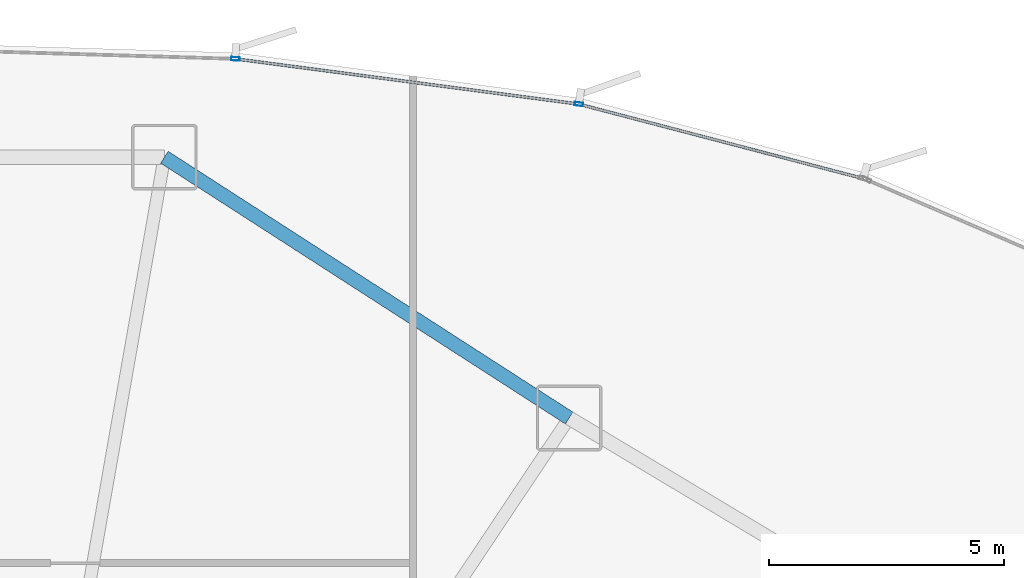
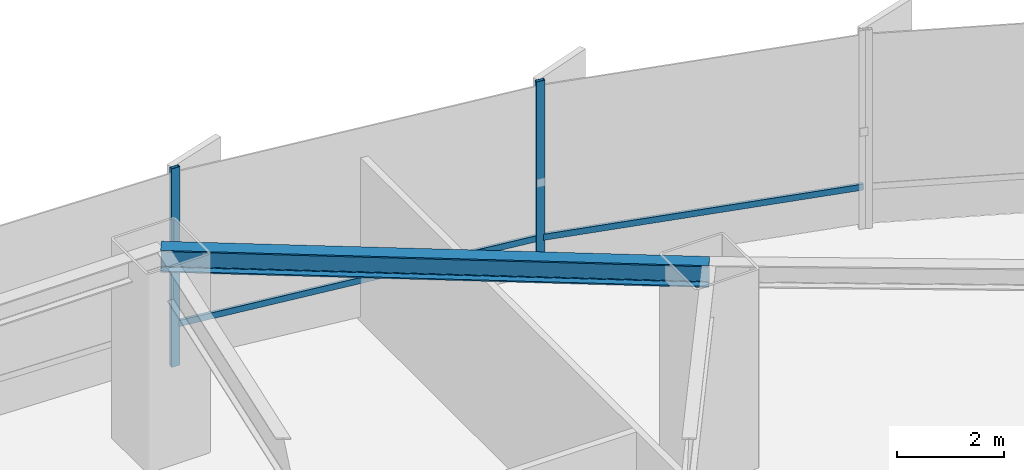
# One storey, part 15 of 33: 4 members, 1 beam, 1 element without a shape of its own.
"""IFC4 building model written with IfcOpenShell, lengths in metres."""

from ifc_helpers import new_model, si_unit, direction, frame, origin, origin_2d, place, context, subcontext, project, spatial, hollow_rectangle, i_section, extrude, source, transform, mapped, material, layer, layer_set, material_profile, profile_set, type_object, element, aggregate, save


model = new_model("IFC4")

# Units and contexts
model_context = context("Model", 3, precision=1e-05, world=origin(), true_north=direction((0.0, 1.0)))
body_context = subcontext(model_context, "Body", "Model", "MODEL_VIEW")
ifc_project = project(units=[si_unit("LENGTHUNIT", "METRE"), si_unit("AREAUNIT", "SQUARE_METRE"), si_unit("VOLUMEUNIT", "CUBIC_METRE"), si_unit("PLANEANGLEUNIT", "RADIAN"), si_unit("MASSUNIT", "GRAM", prefix="KILO"), si_unit("THERMODYNAMICTEMPERATUREUNIT", "KELVIN")], contexts=[model_context])

# Site, building, storey
site_placement = place(None, origin())
site = spatial("IfcSite", under=ifc_project, at=site_placement, CompositionType="ELEMENT")
building_placement = place(site_placement, origin())
building = spatial("IfcBuilding", under=site, at=building_placement, Name="Kethvar Cultural Tower", CompositionType="ELEMENT")
storey_placement = place(building_placement, frame((0.0, 0.0, 10.0)))
storey = spatial("IfcBuildingStorey", under=building, at=storey_placement, Name="L02", CompositionType="ELEMENT", Elevation=10.0)

# Beam
ifc_material_1 = material(Name="Steel S355J2", Category="steel")
ifc_material_profile_1 = material_profile(ifc_material_1, i_section(OverallWidth=0.300048828125, OverallDepth=0.5, WebThickness=0.014404296875, FlangeThickness=0.028076171875, FilletRadius=0.027099609375, at=origin_2d()), Name="Steel S355J2 — HEB500")
ifc_profile_set_1 = profile_set([ifc_material_profile_1], Name="Steel S355J2 — HEB500")
beam_type = type_object("IfcBeamType", Name="BM-SP500", PredefinedType="SPANDREL", material=ifc_profile_set_1)
shared_shape_1 = source(origin(), body_context, "Body", "SweptSolid", [
    extrude(i_section(OverallWidth=0.300048828125, OverallDepth=0.5, WebThickness=0.014404296875, FlangeThickness=0.028076171875, FilletRadius=0.027099609375, at=origin_2d()), origin(), (0.0, 0.0, 1.0), 10.260009765625),
])
beam_placement = place(storey_placement, frame((59.824951171875, 47.293212890625, 4.278076171875), z_axis=(-0.840635315951, 0.541601574569, 0.0), x_axis=(-0.541601574569, -0.840635315951, 0.0)))
element("IfcBeam", 1, at=beam_placement, inside=storey, type_object=beam_type, Name="L02 Podium Ring Beam 03", PredefinedType="SPANDREL", context=body_context, shape_type="MappedRepresentation", body=[
    mapped(shared_shape_1, transform((0.0, 0.0, 0.0), scale=1.0)),
])

# Curtain wall, members
ifc_material_2 = material(Name="Aluminium 6063-T6", Category="aluminium")
ifc_layer = layer(ifc_material_2, 0.179931640625, Name="Aluminium 6063-T6", Category="aluminium")
ifc_layer_set = layer_set([ifc_layer], Name="Aluminium 6063-T6 (180 mm)")
curtain_wall_type = type_object("IfcCurtainWallType", Name="CW-SYS-01-POD", PredefinedType="NOTDEFINED", material=ifc_layer_set)
curtain_wall_placement = place(storey_placement, origin())
curtain_wall = element("IfcCurtainWall", 2, at=curtain_wall_placement, inside=storey, type_object=curtain_wall_type, Name="L02 Curtain Wall Run 02", PredefinedType="NOTDEFINED")
ifc_material_profile_2 = material_profile(ifc_material_2, hollow_rectangle(XDim=0.06005859375, YDim=0.139892578125, WallThickness=0.0048828125, at=origin_2d()), Name="Aluminium 6063-T6 — RHS140x60x5")
ifc_profile_set_2 = profile_set([ifc_material_profile_2], Name="Aluminium 6063-T6 — RHS140x60x5")
member_type_1 = type_object("IfcMemberType", Name="CW-SYS-01-POD-TRN", PredefinedType="USERDEFINED", material=ifc_profile_set_2)
shared_shape_2 = source(origin(), body_context, "Body", "SweptSolid", [
    extrude(hollow_rectangle(XDim=0.06005859375, YDim=0.139892578125, WallThickness=0.0048828125, at=origin_2d()), origin(), (0.0, 0.0, 1.0), 7.28955078125),
])
member_1_placement = place(storey_placement, frame((59.9794921875, 53.98876953125, 0.949951171875), z_axis=(-0.9914326226, 0.13061912128, 0.0), x_axis=(-0.13061912128, -0.9914326226, 0.0)))
member_1 = element("IfcMember", 3, at=member_1_placement, type_object=member_type_1, Name="CW-L02-R02 Transom 2", ObjectType="TRANSOM", PredefinedType="USERDEFINED", context=body_context, shape_type="MappedRepresentation", body=[
    mapped(shared_shape_2, transform((0.0, 0.0, 0.0), scale=1.0)),
])
shared_shape_3 = source(origin(), body_context, "Body", "SweptSolid", [
    extrude(hollow_rectangle(XDim=0.06005859375, YDim=0.139892578125, WallThickness=0.0048828125, at=origin_2d()), origin(), (0.0, 0.0, 1.0), 6.221435546875),
])
member_2_placement = place(storey_placement, frame((66.088134765625, 52.39697265625, 0.949951171875), z_axis=(-0.967458727109, 0.253028874519, 0.0), x_axis=(-0.253028874519, -0.967458727109, 0.0)))
member_2 = element("IfcMember", 4, at=member_2_placement, type_object=member_type_1, Name="CW-L02-R02 Transom 1", ObjectType="TRANSOM", PredefinedType="USERDEFINED", context=body_context, shape_type="MappedRepresentation", body=[
    mapped(shared_shape_3, transform((0.0, 0.0, 0.0), scale=1.0)),
])
ifc_material_profile_3 = material_profile(ifc_material_2, hollow_rectangle(XDim=0.074951171875, YDim=0.179931640625, WallThickness=0.006103515625, at=origin_2d()), Name="Aluminium 6063-T6 — RHS180x75x6")
ifc_profile_set_3 = profile_set([ifc_material_profile_3], Name="Aluminium 6063-T6 — RHS180x75x6")
member_type_2 = type_object("IfcMemberType", Name="CW-SYS-01-POD-MUL", PredefinedType="MULLION", material=ifc_profile_set_3)
shared_shape_4 = source(origin(), body_context, "Body", "SweptSolid", [
    extrude(hollow_rectangle(XDim=0.074951171875, YDim=0.179931640625, WallThickness=0.006103515625, at=origin_2d()), origin(), (0.0, 0.0, 1.0), 4.530029296875),
])
member_3_placement = place(storey_placement, frame((60.032958984375, 53.981689453125, 0.0), z_axis=(0.0, 0.0, 1.0), x_axis=(-0.130647319086, -0.991428907192, 0.0)))
member_3 = element("IfcMember", 5, at=member_3_placement, type_object=member_type_2, Name="CW-L02-R02 Mullion 2", PredefinedType="MULLION", context=body_context, shape_type="MappedRepresentation", body=[
    mapped(shared_shape_4, transform((0.0, 0.0, 0.0), scale=1.0)),
])
member_4_placement = place(storey_placement, frame((52.7119140625, 54.947021484375, 0.0), z_axis=(0.0, 0.0, 1.0), x_axis=(-0.030137272261, -0.999545769248, 0.0)))
member_4 = element("IfcMember", 6, at=member_4_placement, type_object=member_type_2, Name="CW-L02-R02 Mullion 3", PredefinedType="MULLION", context=body_context, shape_type="MappedRepresentation", body=[
    mapped(shared_shape_4, transform((0.0, 0.0, 0.0), scale=1.0)),
])
aggregate(curtain_wall, [member_3, member_4, member_2, member_1])

save(model, "model.ifc")
